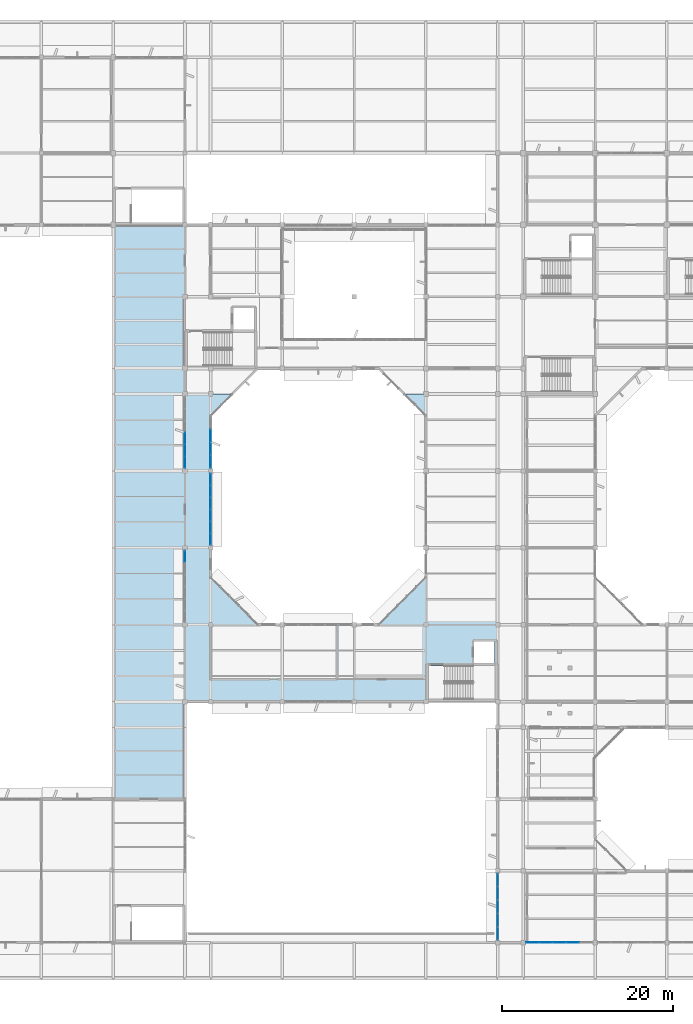
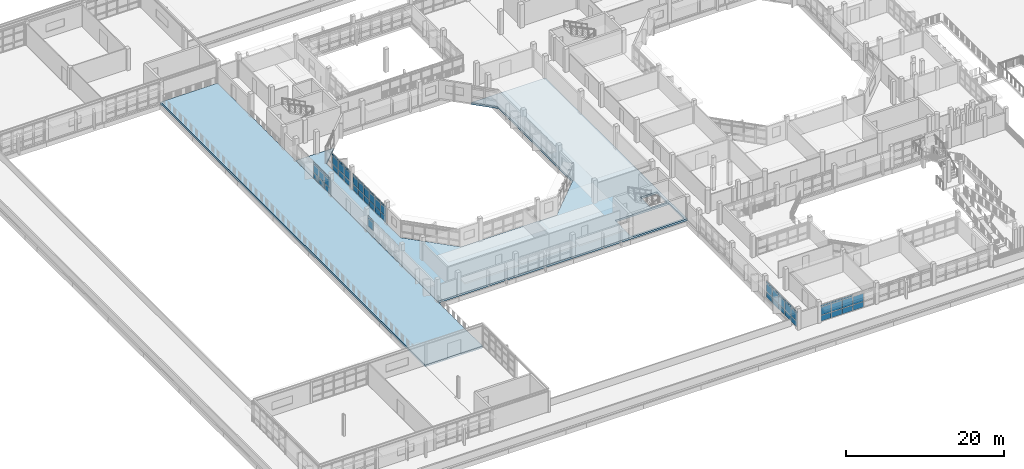
# One storey, part 47 of 92: 64 plates, 2 slabs, 6 elements without a shape of their own.
"""IFC4 building model written with IfcOpenShell, lengths in metres."""

from ifc_helpers import new_model, si_unit, direction, frame, origin, origin_2d, place, context, subcontext, project, spatial, polyline, rectangle, outline, extrude, material, layer, layer_set, type_object, element, aggregate, save


model = new_model("IFC4")

# Units and contexts
model_context = context("Model", 3, precision=1e-05, world=origin(), true_north=direction((0.0, 1.0)))
body_context = subcontext(model_context, "Body", "Model", "MODEL_VIEW")
ifc_project = project(units=[si_unit("LENGTHUNIT", "METRE"), si_unit("AREAUNIT", "SQUARE_METRE"), si_unit("VOLUMEUNIT", "CUBIC_METRE"), si_unit("PLANEANGLEUNIT", "RADIAN"), si_unit("MASSUNIT", "GRAM", prefix="KILO")], contexts=[model_context])

# Site, building, storey
site_placement = place(None, origin())
site = spatial("IfcSite", under=ifc_project, at=site_placement, CompositionType="ELEMENT")
building_placement = place(site_placement, origin())
building = spatial("IfcBuilding", under=site, at=building_placement, Name="Vanh Quang Courtyard School", CompositionType="ELEMENT")
storey_placement = place(building_placement, frame((0.0, 0.0, 7.800048828125)))
storey = spatial("IfcBuildingStorey", under=building, at=storey_placement, Name="L02", CompositionType="ELEMENT", Elevation=7.800048828125)

# Curtain wall, plates
ifc_material_1 = material(Name="Thermally broken aluminium unitised curtain wall", Category="aluminium")
curtain_wall_type_1 = type_object("IfcCurtainWallType", Name="CW-SYS-19", PredefinedType="NOTDEFINED", material=ifc_material_1)
curtain_wall_1_placement = place(storey_placement, origin())
curtain_wall_1 = element("IfcCurtainWall", 1, at=curtain_wall_1_placement, inside=storey, type_object=curtain_wall_type_1, Name="Curtain Wall CW-19 (L02)", PredefinedType="NOTDEFINED")
ifc_material_2 = material(Name="Low-E laminated double glazing", Category="glass")
ifc_layer_1 = layer(ifc_material_2, 0.028076171875)
ifc_layer_set_1 = layer_set([ifc_layer_1], Name="Low-E laminated double glazing")
plate_type_1 = type_object("IfcPlateType", Name="CW-PNL-28", PredefinedType="CURTAIN_PANEL", material=ifc_layer_set_1)
plate_1_placement = place(storey_placement, frame((83.1767578125, 4.199951171875, 0.06005859375), z_axis=(0.0, 0.0, 1.0), x_axis=(-1.0, 0.0, 0.0)))
plate_1 = element("IfcPlate", 2, at=plate_1_placement, type_object=plate_type_1, Name="CW-19 panel 2.1", PredefinedType="CURTAIN_PANEL", context=body_context, shape_type="SweptSolid", body=[
    extrude(rectangle(XDim=1.516845703125, YDim=0.028076171875, at=origin_2d()), origin(), (0.0, 0.0, 1.0), 0.860107421875),
])
plate_2_placement = place(storey_placement, frame((83.1767578125, 4.199951171875, 0.97998046875), z_axis=(0.0, 0.0, 1.0), x_axis=(-1.0, 0.0, 0.0)))
plate_2 = element("IfcPlate", 3, at=plate_2_placement, type_object=plate_type_1, Name="CW-19 panel 2.2", PredefinedType="CURTAIN_PANEL", context=body_context, shape_type="SweptSolid", body=[
    extrude(rectangle(XDim=1.516845703125, YDim=0.028076171875, at=origin_2d()), origin(), (0.0, 0.0, 1.0), 1.239990234375),
])
plate_3_placement = place(storey_placement, frame((81.60009765625, 4.199951171875, 0.06005859375), z_axis=(0.0, 0.0, 1.0), x_axis=(-1.0, 0.0, 0.0)))
plate_3 = element("IfcPlate", 4, at=plate_3_placement, type_object=plate_type_1, Name="CW-19 panel 3.1", PredefinedType="CURTAIN_PANEL", context=body_context, shape_type="SweptSolid", body=[
    extrude(rectangle(XDim=1.516845703125, YDim=0.028076171875, at=origin_2d()), origin(), (0.0, 0.0, 1.0), 0.860107421875),
])
plate_4_placement = place(storey_placement, frame((81.60009765625, 4.199951171875, 0.97998046875), z_axis=(0.0, 0.0, 1.0), x_axis=(-1.0, 0.0, 0.0)))
plate_4 = element("IfcPlate", 5, at=plate_4_placement, type_object=plate_type_1, Name="CW-19 panel 3.2", PredefinedType="CURTAIN_PANEL", context=body_context, shape_type="SweptSolid", body=[
    extrude(rectangle(XDim=1.516845703125, YDim=0.028076171875, at=origin_2d()), origin(), (0.0, 0.0, 1.0), 1.239990234375),
])
plate_5_placement = place(storey_placement, frame((81.60009765625, 4.199951171875, 2.27978515625), z_axis=(0.0, 0.0, 1.0), x_axis=(-1.0, 0.0, 0.0)))
plate_5 = element("IfcPlate", 6, at=plate_5_placement, type_object=plate_type_1, Name="CW-19 panel 3.3", PredefinedType="CURTAIN_PANEL", context=body_context, shape_type="SweptSolid", body=[
    extrude(rectangle(XDim=1.516845703125, YDim=0.028076171875, at=origin_2d()), origin(), (0.0, 0.0, 1.0), 0.239990234375),
])
plate_6_placement = place(storey_placement, frame((80.023193359375, 4.199951171875, 0.06005859375), z_axis=(0.0, 0.0, 1.0), x_axis=(-1.0, 0.0, 0.0)))
plate_6 = element("IfcPlate", 7, at=plate_6_placement, type_object=plate_type_1, Name="CW-19 panel 4.1", PredefinedType="CURTAIN_PANEL", context=body_context, shape_type="SweptSolid", body=[
    extrude(rectangle(XDim=1.516845703125, YDim=0.028076171875, at=origin_2d()), origin(), (0.0, 0.0, 1.0), 0.860107421875),
])
plate_7_placement = place(storey_placement, frame((80.023193359375, 4.199951171875, 0.97998046875), z_axis=(0.0, 0.0, 1.0), x_axis=(-1.0, 0.0, 0.0)))
plate_7 = element("IfcPlate", 8, at=plate_7_placement, type_object=plate_type_1, Name="CW-19 panel 4.2", PredefinedType="CURTAIN_PANEL", context=body_context, shape_type="SweptSolid", body=[
    extrude(rectangle(XDim=1.516845703125, YDim=0.028076171875, at=origin_2d()), origin(), (0.0, 0.0, 1.0), 1.239990234375),
])
plate_8_placement = place(storey_placement, frame((80.023193359375, 4.199951171875, 2.27978515625), z_axis=(0.0, 0.0, 1.0), x_axis=(-1.0, 0.0, 0.0)))
plate_8 = element("IfcPlate", 9, at=plate_8_placement, type_object=plate_type_1, Name="CW-19 panel 4.3", PredefinedType="CURTAIN_PANEL", context=body_context, shape_type="SweptSolid", body=[
    extrude(rectangle(XDim=1.516845703125, YDim=0.028076171875, at=origin_2d()), origin(), (0.0, 0.0, 1.0), 0.239990234375),
])
plate_9_placement = place(storey_placement, frame((78.46142578125, 4.199951171875, 0.06005859375), z_axis=(0.0, 0.0, 1.0), x_axis=(-1.0, 0.0, 0.0)))
plate_9 = element("IfcPlate", 10, at=plate_9_placement, type_object=plate_type_1, Name="CW-19 panel 5.1", PredefinedType="CURTAIN_PANEL", context=body_context, shape_type="SweptSolid", body=[
    extrude(rectangle(XDim=1.48681640625, YDim=0.028076171875, at=origin_2d()), origin(), (0.0, 0.0, 1.0), 0.860107421875),
])
plate_10_placement = place(storey_placement, frame((78.46142578125, 4.199951171875, 0.97998046875), z_axis=(0.0, 0.0, 1.0), x_axis=(-1.0, 0.0, 0.0)))
plate_10 = element("IfcPlate", 11, at=plate_10_placement, type_object=plate_type_1, Name="CW-19 panel 5.2", PredefinedType="CURTAIN_PANEL", context=body_context, shape_type="SweptSolid", body=[
    extrude(rectangle(XDim=1.48681640625, YDim=0.028076171875, at=origin_2d()), origin(), (0.0, 0.0, 1.0), 1.239990234375),
])
plate_11_placement = place(storey_placement, frame((78.46142578125, 4.199951171875, 2.27978515625), z_axis=(0.0, 0.0, 1.0), x_axis=(-1.0, 0.0, 0.0)))
plate_11 = element("IfcPlate", 12, at=plate_11_placement, type_object=plate_type_1, Name="CW-19 panel 5.3", PredefinedType="CURTAIN_PANEL", context=body_context, shape_type="SweptSolid", body=[
    extrude(rectangle(XDim=1.48681640625, YDim=0.028076171875, at=origin_2d()), origin(), (0.0, 0.0, 1.0), 0.239990234375),
])
aggregate(curtain_wall_1, [plate_1, plate_2, plate_3, plate_4, plate_5, plate_6, plate_7, plate_8, plate_9, plate_10, plate_11])

curtain_wall_type_2 = type_object("IfcCurtainWallType", Name="CW-SYS-48", PredefinedType="NOTDEFINED", material=ifc_material_1)
curtain_wall_2_placement = place(storey_placement, origin())
curtain_wall_2 = element("IfcCurtainWall", 13, at=curtain_wall_2_placement, inside=storey, type_object=curtain_wall_type_2, Name="Curtain Wall CW-48 (L02)", PredefinedType="NOTDEFINED")
plate_12_placement = place(storey_placement, frame((37.800048828125, 49.396728515625, 0.98486328125), z_axis=(0.0, 0.0, 1.0), x_axis=(0.0, 1.0, 0.0)))
plate_12 = element("IfcPlate", 14, at=plate_12_placement, type_object=plate_type_1, Name="CW-48 panel 6.2", PredefinedType="CURTAIN_PANEL", context=body_context, shape_type="SweptSolid", body=[
    extrude(rectangle(XDim=1.30078125, YDim=0.028076171875, at=origin_2d()), origin(), (0.0, 0.0, 1.0), 1.22998046875),
])
plate_13_placement = place(storey_placement, frame((37.800048828125, 49.396728515625, 2.284912109375), z_axis=(0.0, 0.0, 1.0), x_axis=(0.0, 1.0, 0.0)))
plate_13 = element("IfcPlate", 15, at=plate_13_placement, type_object=plate_type_1, Name="CW-48 panel 6.3", PredefinedType="CURTAIN_PANEL", context=body_context, shape_type="SweptSolid", body=[
    extrude(rectangle(XDim=1.30078125, YDim=0.028076171875, at=origin_2d()), origin(), (0.0, 0.0, 1.0), 0.2451171875),
])
aggregate(curtain_wall_2, [plate_12, plate_13])

curtain_wall_type_3 = type_object("IfcCurtainWallType", Name="CW-SYS-44", PredefinedType="NOTDEFINED", material=ifc_material_1)
curtain_wall_3_placement = place(storey_placement, origin())
curtain_wall_3 = element("IfcCurtainWall", 16, at=curtain_wall_3_placement, inside=storey, type_object=curtain_wall_type_3, Name="Curtain Wall CW-44 (L02)", PredefinedType="NOTDEFINED")
plate_14_placement = place(storey_placement, frame((40.800048828125, 63.541015625, 0.079833984375), z_axis=(0.0, 0.0, 1.0), x_axis=(0.0, -1.0, 0.0)))
plate_14 = element("IfcPlate", 17, at=plate_14_placement, type_object=plate_type_1, Name="CW-44 panel 2.1", PredefinedType="CURTAIN_PANEL", context=body_context, shape_type="SweptSolid", body=[
    extrude(rectangle(XDim=1.463134765625, YDim=0.028076171875, at=origin_2d()), origin(), (0.0, 0.0, 1.0), 0.830078125),
])
plate_15_placement = place(storey_placement, frame((40.800048828125, 63.541015625, 0.98974609375), z_axis=(0.0, 0.0, 1.0), x_axis=(0.0, -1.0, 0.0)))
plate_15 = element("IfcPlate", 18, at=plate_15_placement, type_object=plate_type_1, Name="CW-44 panel 2.2", PredefinedType="CURTAIN_PANEL", context=body_context, shape_type="SweptSolid", body=[
    extrude(rectangle(XDim=1.463134765625, YDim=0.028076171875, at=origin_2d()), origin(), (0.0, 0.0, 1.0), 1.219970703125),
])
plate_16_placement = place(storey_placement, frame((40.800048828125, 63.541015625, 2.2900390625), z_axis=(0.0, 0.0, 1.0), x_axis=(0.0, -1.0, 0.0)))
plate_16 = element("IfcPlate", 19, at=plate_16_placement, type_object=plate_type_1, Name="CW-44 panel 2.3", PredefinedType="CURTAIN_PANEL", context=body_context, shape_type="SweptSolid", body=[
    extrude(rectangle(XDim=1.463134765625, YDim=0.028076171875, at=origin_2d()), origin(), (0.0, 0.0, 1.0), 0.22998046875),
])
plate_17_placement = place(storey_placement, frame((40.800048828125, 61.997802734375, 0.079833984375), z_axis=(0.0, 0.0, 1.0), x_axis=(0.0, -1.0, 0.0)))
plate_17 = element("IfcPlate", 20, at=plate_17_placement, type_object=plate_type_1, Name="CW-44 panel 3.1", PredefinedType="CURTAIN_PANEL", context=body_context, shape_type="SweptSolid", body=[
    extrude(rectangle(XDim=1.463134765625, YDim=0.028076171875, at=origin_2d()), origin(), (0.0, 0.0, 1.0), 0.830078125),
])
plate_18_placement = place(storey_placement, frame((40.800048828125, 61.997802734375, 0.98974609375), z_axis=(0.0, 0.0, 1.0), x_axis=(0.0, -1.0, 0.0)))
plate_18 = element("IfcPlate", 21, at=plate_18_placement, type_object=plate_type_1, Name="CW-44 panel 3.2", PredefinedType="CURTAIN_PANEL", context=body_context, shape_type="SweptSolid", body=[
    extrude(rectangle(XDim=1.463134765625, YDim=0.028076171875, at=origin_2d()), origin(), (0.0, 0.0, 1.0), 1.219970703125),
])
plate_19_placement = place(storey_placement, frame((40.800048828125, 61.997802734375, 2.2900390625), z_axis=(0.0, 0.0, 1.0), x_axis=(0.0, -1.0, 0.0)))
plate_19 = element("IfcPlate", 22, at=plate_19_placement, type_object=plate_type_1, Name="CW-44 panel 3.3", PredefinedType="CURTAIN_PANEL", context=body_context, shape_type="SweptSolid", body=[
    extrude(rectangle(XDim=1.463134765625, YDim=0.028076171875, at=origin_2d()), origin(), (0.0, 0.0, 1.0), 0.22998046875),
])
plate_20_placement = place(storey_placement, frame((40.800048828125, 60.474609375, 0.079833984375), z_axis=(0.0, 0.0, 1.0), x_axis=(0.0, -1.0, 0.0)))
plate_20 = element("IfcPlate", 23, at=plate_20_placement, type_object=plate_type_1, Name="CW-44 panel 4.1", PredefinedType="CURTAIN_PANEL", context=body_context, shape_type="SweptSolid", body=[
    extrude(rectangle(XDim=1.42333984375, YDim=0.028076171875, at=origin_2d()), origin(), (0.0, 0.0, 1.0), 0.830078125),
])
plate_21_placement = place(storey_placement, frame((40.800048828125, 60.474609375, 0.98974609375), z_axis=(0.0, 0.0, 1.0), x_axis=(0.0, -1.0, 0.0)))
plate_21 = element("IfcPlate", 24, at=plate_21_placement, type_object=plate_type_1, Name="CW-44 panel 4.2", PredefinedType="CURTAIN_PANEL", context=body_context, shape_type="SweptSolid", body=[
    extrude(rectangle(XDim=1.42333984375, YDim=0.028076171875, at=origin_2d()), origin(), (0.0, 0.0, 1.0), 1.219970703125),
])
plate_22_placement = place(storey_placement, frame((40.800048828125, 60.474609375, 2.2900390625), z_axis=(0.0, 0.0, 1.0), x_axis=(0.0, -1.0, 0.0)))
plate_22 = element("IfcPlate", 25, at=plate_22_placement, type_object=plate_type_1, Name="CW-44 panel 4.3", PredefinedType="CURTAIN_PANEL", context=body_context, shape_type="SweptSolid", body=[
    extrude(rectangle(XDim=1.42333984375, YDim=0.028076171875, at=origin_2d()), origin(), (0.0, 0.0, 1.0), 0.22998046875),
])
aggregate(curtain_wall_3, [plate_14, plate_15, plate_16, plate_17, plate_18, plate_19, plate_20, plate_21, plate_22])

curtain_wall_4_placement = place(storey_placement, origin())
curtain_wall_4 = element("IfcCurtainWall", 26, at=curtain_wall_4_placement, inside=storey, type_object=curtain_wall_type_1, Name="Curtain Wall CW-19 (L02)", PredefinedType="NOTDEFINED")
ifc_layer_2 = layer(ifc_material_2, 0.031982421875)
ifc_layer_set_2 = layer_set([ifc_layer_2], Name="Low-E laminated double glazing")
plate_type_2 = type_object("IfcPlateType", Name="CW-PNL-32", PredefinedType="CURTAIN_PANEL", material=ifc_layer_set_2)
plate_23_placement = place(storey_placement, frame((74.39990234375, 5.263916015625, 0.06982421875), z_axis=(0.0, 0.0, 1.0), x_axis=(0.0, 1.0, 0.0)))
plate_23 = element("IfcPlate", 27, at=plate_23_placement, type_object=plate_type_2, Name="CW-19 panel 1.1", PredefinedType="CURTAIN_PANEL", context=body_context, shape_type="SweptSolid", body=[
    extrude(rectangle(XDim=1.4716796875, YDim=0.031982421875, at=origin_2d()), origin(), (0.0, 0.0, 1.0), 0.844970703125),
])
plate_24_placement = place(storey_placement, frame((74.39990234375, 5.263916015625, 0.98486328125), z_axis=(0.0, 0.0, 1.0), x_axis=(0.0, 1.0, 0.0)))
plate_24 = element("IfcPlate", 28, at=plate_24_placement, type_object=plate_type_2, Name="CW-19 panel 1.2", PredefinedType="CURTAIN_PANEL", context=body_context, shape_type="SweptSolid", body=[
    extrude(rectangle(XDim=1.4716796875, YDim=0.031982421875, at=origin_2d()), origin(), (0.0, 0.0, 1.0), 1.22998046875),
])
plate_25_placement = place(storey_placement, frame((74.39990234375, 5.263916015625, 2.284912109375), z_axis=(0.0, 0.0, 1.0), x_axis=(0.0, 1.0, 0.0)))
plate_25 = element("IfcPlate", 29, at=plate_25_placement, type_object=plate_type_2, Name="CW-19 panel 1.3", PredefinedType="CURTAIN_PANEL", context=body_context, shape_type="SweptSolid", body=[
    extrude(rectangle(XDim=1.4716796875, YDim=0.031982421875, at=origin_2d()), origin(), (0.0, 0.0, 1.0), 0.22509765625),
])
plate_26_placement = place(storey_placement, frame((74.39990234375, 6.8232421875, 0.06982421875), z_axis=(0.0, 0.0, 1.0), x_axis=(0.0, 1.0, 0.0)))
plate_26 = element("IfcPlate", 30, at=plate_26_placement, type_object=plate_type_2, Name="CW-19 panel 2.1", PredefinedType="CURTAIN_PANEL", context=body_context, shape_type="SweptSolid", body=[
    extrude(rectangle(XDim=1.5068359375, YDim=0.031982421875, at=origin_2d()), origin(), (0.0, 0.0, 1.0), 0.844970703125),
])
plate_27_placement = place(storey_placement, frame((74.39990234375, 6.8232421875, 0.98486328125), z_axis=(0.0, 0.0, 1.0), x_axis=(0.0, 1.0, 0.0)))
plate_27 = element("IfcPlate", 31, at=plate_27_placement, type_object=plate_type_2, Name="CW-19 panel 2.2", PredefinedType="CURTAIN_PANEL", context=body_context, shape_type="SweptSolid", body=[
    extrude(rectangle(XDim=1.5068359375, YDim=0.031982421875, at=origin_2d()), origin(), (0.0, 0.0, 1.0), 1.22998046875),
])
plate_28_placement = place(storey_placement, frame((74.39990234375, 6.8232421875, 2.284912109375), z_axis=(0.0, 0.0, 1.0), x_axis=(0.0, 1.0, 0.0)))
plate_28 = element("IfcPlate", 32, at=plate_28_placement, type_object=plate_type_2, Name="CW-19 panel 2.3", PredefinedType="CURTAIN_PANEL", context=body_context, shape_type="SweptSolid", body=[
    extrude(rectangle(XDim=1.5068359375, YDim=0.031982421875, at=origin_2d()), origin(), (0.0, 0.0, 1.0), 0.22509765625),
])
plate_29_placement = place(storey_placement, frame((74.39990234375, 8.39990234375, 0.06982421875), z_axis=(0.0, 0.0, 1.0), x_axis=(0.0, 1.0, 0.0)))
plate_29 = element("IfcPlate", 33, at=plate_29_placement, type_object=plate_type_2, Name="CW-19 panel 3.1", PredefinedType="CURTAIN_PANEL", context=body_context, shape_type="SweptSolid", body=[
    extrude(rectangle(XDim=1.5068359375, YDim=0.031982421875, at=origin_2d()), origin(), (0.0, 0.0, 1.0), 0.844970703125),
])
plate_30_placement = place(storey_placement, frame((74.39990234375, 8.39990234375, 0.98486328125), z_axis=(0.0, 0.0, 1.0), x_axis=(0.0, 1.0, 0.0)))
plate_30 = element("IfcPlate", 34, at=plate_30_placement, type_object=plate_type_2, Name="CW-19 panel 3.2", PredefinedType="CURTAIN_PANEL", context=body_context, shape_type="SweptSolid", body=[
    extrude(rectangle(XDim=1.5068359375, YDim=0.031982421875, at=origin_2d()), origin(), (0.0, 0.0, 1.0), 1.22998046875),
])
plate_31_placement = place(storey_placement, frame((74.39990234375, 8.39990234375, 2.284912109375), z_axis=(0.0, 0.0, 1.0), x_axis=(0.0, 1.0, 0.0)))
plate_31 = element("IfcPlate", 35, at=plate_31_placement, type_object=plate_type_2, Name="CW-19 panel 3.3", PredefinedType="CURTAIN_PANEL", context=body_context, shape_type="SweptSolid", body=[
    extrude(rectangle(XDim=1.5068359375, YDim=0.031982421875, at=origin_2d()), origin(), (0.0, 0.0, 1.0), 0.22509765625),
])
plate_32_placement = place(storey_placement, frame((74.39990234375, 9.976806640625, 0.06982421875), z_axis=(0.0, 0.0, 1.0), x_axis=(0.0, 1.0, 0.0)))
plate_32 = element("IfcPlate", 36, at=plate_32_placement, type_object=plate_type_2, Name="CW-19 panel 4.1", PredefinedType="CURTAIN_PANEL", context=body_context, shape_type="SweptSolid", body=[
    extrude(rectangle(XDim=1.5068359375, YDim=0.031982421875, at=origin_2d()), origin(), (0.0, 0.0, 1.0), 0.844970703125),
])
plate_33_placement = place(storey_placement, frame((74.39990234375, 9.976806640625, 0.98486328125), z_axis=(0.0, 0.0, 1.0), x_axis=(0.0, 1.0, 0.0)))
plate_33 = element("IfcPlate", 37, at=plate_33_placement, type_object=plate_type_2, Name="CW-19 panel 4.2", PredefinedType="CURTAIN_PANEL", context=body_context, shape_type="SweptSolid", body=[
    extrude(rectangle(XDim=1.5068359375, YDim=0.031982421875, at=origin_2d()), origin(), (0.0, 0.0, 1.0), 1.22998046875),
])
plate_34_placement = place(storey_placement, frame((74.39990234375, 9.976806640625, 2.284912109375), z_axis=(0.0, 0.0, 1.0), x_axis=(0.0, 1.0, 0.0)))
plate_34 = element("IfcPlate", 38, at=plate_34_placement, type_object=plate_type_2, Name="CW-19 panel 4.3", PredefinedType="CURTAIN_PANEL", context=body_context, shape_type="SweptSolid", body=[
    extrude(rectangle(XDim=1.5068359375, YDim=0.031982421875, at=origin_2d()), origin(), (0.0, 0.0, 1.0), 0.22509765625),
])
plate_35_placement = place(storey_placement, frame((74.39990234375, 11.5361328125, 0.06982421875), z_axis=(0.0, 0.0, 1.0), x_axis=(0.0, 1.0, 0.0)))
plate_35 = element("IfcPlate", 39, at=plate_35_placement, type_object=plate_type_2, Name="CW-19 panel 5.1", PredefinedType="CURTAIN_PANEL", context=body_context, shape_type="SweptSolid", body=[
    extrude(rectangle(XDim=1.4716796875, YDim=0.031982421875, at=origin_2d()), origin(), (0.0, 0.0, 1.0), 0.844970703125),
])
plate_36_placement = place(storey_placement, frame((74.39990234375, 11.5361328125, 0.98486328125), z_axis=(0.0, 0.0, 1.0), x_axis=(0.0, 1.0, 0.0)))
plate_36 = element("IfcPlate", 40, at=plate_36_placement, type_object=plate_type_2, Name="CW-19 panel 5.2", PredefinedType="CURTAIN_PANEL", context=body_context, shape_type="SweptSolid", body=[
    extrude(rectangle(XDim=1.4716796875, YDim=0.031982421875, at=origin_2d()), origin(), (0.0, 0.0, 1.0), 1.22998046875),
])
plate_37_placement = place(storey_placement, frame((74.39990234375, 11.5361328125, 2.284912109375), z_axis=(0.0, 0.0, 1.0), x_axis=(0.0, 1.0, 0.0)))
plate_37 = element("IfcPlate", 41, at=plate_37_placement, type_object=plate_type_2, Name="CW-19 panel 5.3", PredefinedType="CURTAIN_PANEL", context=body_context, shape_type="SweptSolid", body=[
    extrude(rectangle(XDim=1.4716796875, YDim=0.031982421875, at=origin_2d()), origin(), (0.0, 0.0, 1.0), 0.22509765625),
])
aggregate(curtain_wall_4, [plate_23, plate_24, plate_25, plate_26, plate_27, plate_28, plate_29, plate_30, plate_31, plate_32, plate_33, plate_34, plate_35, plate_36, plate_37])

curtain_wall_5_placement = place(storey_placement, origin())
curtain_wall_5 = element("IfcCurtainWall", 42, at=curtain_wall_5_placement, inside=storey, type_object=curtain_wall_type_2, Name="Curtain Wall CW-48 (L02)", PredefinedType="NOTDEFINED")
plate_38_placement = place(storey_placement, frame((37.800048828125, 60.40576171875, 0.079833984375), z_axis=(0.0, 0.0, 1.0), x_axis=(0.0, 1.0, 0.0)))
plate_38 = element("IfcPlate", 43, at=plate_38_placement, type_object=plate_type_2, Name="CW-48 panel 1.1", PredefinedType="CURTAIN_PANEL", context=body_context, shape_type="SweptSolid", body=[
    extrude(rectangle(XDim=1.28564453125, YDim=0.031982421875, at=origin_2d()), origin(), (0.0, 0.0, 1.0), 0.830078125),
])
plate_39_placement = place(storey_placement, frame((37.800048828125, 60.40576171875, 0.98974609375), z_axis=(0.0, 0.0, 1.0), x_axis=(0.0, 1.0, 0.0)))
plate_39 = element("IfcPlate", 44, at=plate_39_placement, type_object=plate_type_2, Name="CW-48 panel 1.2", PredefinedType="CURTAIN_PANEL", context=body_context, shape_type="SweptSolid", body=[
    extrude(rectangle(XDim=1.28564453125, YDim=0.031982421875, at=origin_2d()), origin(), (0.0, 0.0, 1.0), 1.219970703125),
])
plate_40_placement = place(storey_placement, frame((37.800048828125, 60.40576171875, 2.2900390625), z_axis=(0.0, 0.0, 1.0), x_axis=(0.0, 1.0, 0.0)))
plate_40 = element("IfcPlate", 45, at=plate_40_placement, type_object=plate_type_2, Name="CW-48 panel 1.3", PredefinedType="CURTAIN_PANEL", context=body_context, shape_type="SweptSolid", body=[
    extrude(rectangle(XDim=1.28564453125, YDim=0.031982421875, at=origin_2d()), origin(), (0.0, 0.0, 1.0), 0.22998046875),
])
plate_41_placement = place(storey_placement, frame((37.800048828125, 61.79150390625, 0.079833984375), z_axis=(0.0, 0.0, 1.0), x_axis=(0.0, 1.0, 0.0)))
plate_41 = element("IfcPlate", 46, at=plate_41_placement, type_object=plate_type_2, Name="CW-48 panel 2.1", PredefinedType="CURTAIN_PANEL", context=body_context, shape_type="SweptSolid", body=[
    extrude(rectangle(XDim=1.32568359375, YDim=0.031982421875, at=origin_2d()), origin(), (0.0, 0.0, 1.0), 0.830078125),
])
plate_42_placement = place(storey_placement, frame((37.800048828125, 61.79150390625, 0.98974609375), z_axis=(0.0, 0.0, 1.0), x_axis=(0.0, 1.0, 0.0)))
plate_42 = element("IfcPlate", 47, at=plate_42_placement, type_object=plate_type_2, Name="CW-48 panel 2.2", PredefinedType="CURTAIN_PANEL", context=body_context, shape_type="SweptSolid", body=[
    extrude(rectangle(XDim=1.32568359375, YDim=0.031982421875, at=origin_2d()), origin(), (0.0, 0.0, 1.0), 1.219970703125),
])
plate_43_placement = place(storey_placement, frame((37.800048828125, 61.79150390625, 2.2900390625), z_axis=(0.0, 0.0, 1.0), x_axis=(0.0, 1.0, 0.0)))
plate_43 = element("IfcPlate", 48, at=plate_43_placement, type_object=plate_type_2, Name="CW-48 panel 2.3", PredefinedType="CURTAIN_PANEL", context=body_context, shape_type="SweptSolid", body=[
    extrude(rectangle(XDim=1.32568359375, YDim=0.031982421875, at=origin_2d()), origin(), (0.0, 0.0, 1.0), 0.22998046875),
])
plate_44_placement = place(storey_placement, frame((37.800048828125, 63.197265625, 0.079833984375), z_axis=(0.0, 0.0, 1.0), x_axis=(0.0, 1.0, 0.0)))
plate_44 = element("IfcPlate", 49, at=plate_44_placement, type_object=plate_type_2, Name="CW-48 panel 3.1", PredefinedType="CURTAIN_PANEL", context=body_context, shape_type="SweptSolid", body=[
    extrude(rectangle(XDim=1.32568359375, YDim=0.031982421875, at=origin_2d()), origin(), (0.0, 0.0, 1.0), 0.830078125),
])
plate_45_placement = place(storey_placement, frame((37.800048828125, 63.197265625, 0.98974609375), z_axis=(0.0, 0.0, 1.0), x_axis=(0.0, 1.0, 0.0)))
plate_45 = element("IfcPlate", 50, at=plate_45_placement, type_object=plate_type_2, Name="CW-48 panel 3.2", PredefinedType="CURTAIN_PANEL", context=body_context, shape_type="SweptSolid", body=[
    extrude(rectangle(XDim=1.32568359375, YDim=0.031982421875, at=origin_2d()), origin(), (0.0, 0.0, 1.0), 1.219970703125),
])
plate_46_placement = place(storey_placement, frame((37.800048828125, 63.197265625, 2.2900390625), z_axis=(0.0, 0.0, 1.0), x_axis=(0.0, 1.0, 0.0)))
plate_46 = element("IfcPlate", 51, at=plate_46_placement, type_object=plate_type_2, Name="CW-48 panel 3.3", PredefinedType="CURTAIN_PANEL", context=body_context, shape_type="SweptSolid", body=[
    extrude(rectangle(XDim=1.32568359375, YDim=0.031982421875, at=origin_2d()), origin(), (0.0, 0.0, 1.0), 0.22998046875),
])
aggregate(curtain_wall_5, [plate_38, plate_39, plate_40, plate_41, plate_42, plate_43, plate_44, plate_45, plate_46])

curtain_wall_6_placement = place(storey_placement, origin())
curtain_wall_6 = element("IfcCurtainWall", 52, at=curtain_wall_6_placement, inside=storey, type_object=curtain_wall_type_2, Name="Curtain Wall CW-48 (L02)", PredefinedType="NOTDEFINED")
plate_47_placement = place(storey_placement, frame((40.800048828125, 58.399169921875, 0.06005859375), z_axis=(0.0, 0.0, 1.0), x_axis=(0.0, -1.0, 0.0)))
plate_47 = element("IfcPlate", 53, at=plate_47_placement, type_object=plate_type_2, Name="CW-48 panel 1.1", PredefinedType="CURTAIN_PANEL", context=body_context, shape_type="SweptSolid", body=[
    extrude(rectangle(XDim=1.315673828125, YDim=0.031982421875, at=origin_2d()), origin(), (0.0, 0.0, 1.0), 0.860107421875),
])
plate_48_placement = place(storey_placement, frame((40.800048828125, 58.399169921875, 0.97998046875), z_axis=(0.0, 0.0, 1.0), x_axis=(0.0, -1.0, 0.0)))
plate_48 = element("IfcPlate", 54, at=plate_48_placement, type_object=plate_type_2, Name="CW-48 panel 1.2", PredefinedType="CURTAIN_PANEL", context=body_context, shape_type="SweptSolid", body=[
    extrude(rectangle(XDim=1.315673828125, YDim=0.031982421875, at=origin_2d()), origin(), (0.0, 0.0, 1.0), 1.239990234375),
])
plate_49_placement = place(storey_placement, frame((40.800048828125, 58.399169921875, 2.27978515625), z_axis=(0.0, 0.0, 1.0), x_axis=(0.0, -1.0, 0.0)))
plate_49 = element("IfcPlate", 55, at=plate_49_placement, type_object=plate_type_2, Name="CW-48 panel 1.3", PredefinedType="CURTAIN_PANEL", context=body_context, shape_type="SweptSolid", body=[
    extrude(rectangle(XDim=1.315673828125, YDim=0.031982421875, at=origin_2d()), origin(), (0.0, 0.0, 1.0), 0.260009765625),
])
plate_50_placement = place(storey_placement, frame((40.800048828125, 57.008544921875, 0.06005859375), z_axis=(0.0, 0.0, 1.0), x_axis=(0.0, -1.0, 0.0)))
plate_50 = element("IfcPlate", 56, at=plate_50_placement, type_object=plate_type_2, Name="CW-48 panel 2.1", PredefinedType="CURTAIN_PANEL", context=body_context, shape_type="SweptSolid", body=[
    extrude(rectangle(XDim=1.345703125, YDim=0.031982421875, at=origin_2d()), origin(), (0.0, 0.0, 1.0), 0.860107421875),
])
plate_51_placement = place(storey_placement, frame((40.800048828125, 57.008544921875, 0.97998046875), z_axis=(0.0, 0.0, 1.0), x_axis=(0.0, -1.0, 0.0)))
plate_51 = element("IfcPlate", 57, at=plate_51_placement, type_object=plate_type_2, Name="CW-48 panel 2.2", PredefinedType="CURTAIN_PANEL", context=body_context, shape_type="SweptSolid", body=[
    extrude(rectangle(XDim=1.345703125, YDim=0.031982421875, at=origin_2d()), origin(), (0.0, 0.0, 1.0), 1.239990234375),
])
plate_52_placement = place(storey_placement, frame((40.800048828125, 57.008544921875, 2.27978515625), z_axis=(0.0, 0.0, 1.0), x_axis=(0.0, -1.0, 0.0)))
plate_52 = element("IfcPlate", 58, at=plate_52_placement, type_object=plate_type_2, Name="CW-48 panel 2.3", PredefinedType="CURTAIN_PANEL", context=body_context, shape_type="SweptSolid", body=[
    extrude(rectangle(XDim=1.345703125, YDim=0.031982421875, at=origin_2d()), origin(), (0.0, 0.0, 1.0), 0.260009765625),
])
plate_53_placement = place(storey_placement, frame((40.800048828125, 55.602783203125, 0.06005859375), z_axis=(0.0, 0.0, 1.0), x_axis=(0.0, -1.0, 0.0)))
plate_53 = element("IfcPlate", 59, at=plate_53_placement, type_object=plate_type_2, Name="CW-48 panel 3.1", PredefinedType="CURTAIN_PANEL", context=body_context, shape_type="SweptSolid", body=[
    extrude(rectangle(XDim=1.345703125, YDim=0.031982421875, at=origin_2d()), origin(), (0.0, 0.0, 1.0), 0.860107421875),
])
plate_54_placement = place(storey_placement, frame((40.800048828125, 55.602783203125, 0.97998046875), z_axis=(0.0, 0.0, 1.0), x_axis=(0.0, -1.0, 0.0)))
plate_54 = element("IfcPlate", 60, at=plate_54_placement, type_object=plate_type_2, Name="CW-48 panel 3.2", PredefinedType="CURTAIN_PANEL", context=body_context, shape_type="SweptSolid", body=[
    extrude(rectangle(XDim=1.345703125, YDim=0.031982421875, at=origin_2d()), origin(), (0.0, 0.0, 1.0), 1.239990234375),
])
plate_55_placement = place(storey_placement, frame((40.800048828125, 55.602783203125, 2.27978515625), z_axis=(0.0, 0.0, 1.0), x_axis=(0.0, -1.0, 0.0)))
plate_55 = element("IfcPlate", 61, at=plate_55_placement, type_object=plate_type_2, Name="CW-48 panel 3.3", PredefinedType="CURTAIN_PANEL", context=body_context, shape_type="SweptSolid", body=[
    extrude(rectangle(XDim=1.345703125, YDim=0.031982421875, at=origin_2d()), origin(), (0.0, 0.0, 1.0), 0.260009765625),
])
plate_56_placement = place(storey_placement, frame((40.800048828125, 54.197265625, 0.06005859375), z_axis=(0.0, 0.0, 1.0), x_axis=(0.0, -1.0, 0.0)))
plate_56 = element("IfcPlate", 62, at=plate_56_placement, type_object=plate_type_2, Name="CW-48 panel 4.1", PredefinedType="CURTAIN_PANEL", context=body_context, shape_type="SweptSolid", body=[
    extrude(rectangle(XDim=1.345703125, YDim=0.031982421875, at=origin_2d()), origin(), (0.0, 0.0, 1.0), 0.860107421875),
])
plate_57_placement = place(storey_placement, frame((40.800048828125, 54.197265625, 0.97998046875), z_axis=(0.0, 0.0, 1.0), x_axis=(0.0, -1.0, 0.0)))
plate_57 = element("IfcPlate", 63, at=plate_57_placement, type_object=plate_type_2, Name="CW-48 panel 4.2", PredefinedType="CURTAIN_PANEL", context=body_context, shape_type="SweptSolid", body=[
    extrude(rectangle(XDim=1.345703125, YDim=0.031982421875, at=origin_2d()), origin(), (0.0, 0.0, 1.0), 1.239990234375),
])
plate_58_placement = place(storey_placement, frame((40.800048828125, 54.197265625, 2.27978515625), z_axis=(0.0, 0.0, 1.0), x_axis=(0.0, -1.0, 0.0)))
plate_58 = element("IfcPlate", 64, at=plate_58_placement, type_object=plate_type_2, Name="CW-48 panel 4.3", PredefinedType="CURTAIN_PANEL", context=body_context, shape_type="SweptSolid", body=[
    extrude(rectangle(XDim=1.345703125, YDim=0.031982421875, at=origin_2d()), origin(), (0.0, 0.0, 1.0), 0.260009765625),
])
plate_59_placement = place(storey_placement, frame((40.800048828125, 52.79150390625, 0.06005859375), z_axis=(0.0, 0.0, 1.0), x_axis=(0.0, -1.0, 0.0)))
plate_59 = element("IfcPlate", 65, at=plate_59_placement, type_object=plate_type_2, Name="CW-48 panel 5.1", PredefinedType="CURTAIN_PANEL", context=body_context, shape_type="SweptSolid", body=[
    extrude(rectangle(XDim=1.345703125, YDim=0.031982421875, at=origin_2d()), origin(), (0.0, 0.0, 1.0), 0.860107421875),
])
plate_60_placement = place(storey_placement, frame((40.800048828125, 52.79150390625, 0.97998046875), z_axis=(0.0, 0.0, 1.0), x_axis=(0.0, -1.0, 0.0)))
plate_60 = element("IfcPlate", 66, at=plate_60_placement, type_object=plate_type_2, Name="CW-48 panel 5.2", PredefinedType="CURTAIN_PANEL", context=body_context, shape_type="SweptSolid", body=[
    extrude(rectangle(XDim=1.345703125, YDim=0.031982421875, at=origin_2d()), origin(), (0.0, 0.0, 1.0), 1.239990234375),
])
plate_61_placement = place(storey_placement, frame((40.800048828125, 52.79150390625, 2.27978515625), z_axis=(0.0, 0.0, 1.0), x_axis=(0.0, -1.0, 0.0)))
plate_61 = element("IfcPlate", 67, at=plate_61_placement, type_object=plate_type_2, Name="CW-48 panel 5.3", PredefinedType="CURTAIN_PANEL", context=body_context, shape_type="SweptSolid", body=[
    extrude(rectangle(XDim=1.345703125, YDim=0.031982421875, at=origin_2d()), origin(), (0.0, 0.0, 1.0), 0.260009765625),
])
plate_62_placement = place(storey_placement, frame((40.800048828125, 51.40087890625, 0.06005859375), z_axis=(0.0, 0.0, 1.0), x_axis=(0.0, -1.0, 0.0)))
plate_62 = element("IfcPlate", 68, at=plate_62_placement, type_object=plate_type_2, Name="CW-48 panel 6.1", PredefinedType="CURTAIN_PANEL", context=body_context, shape_type="SweptSolid", body=[
    extrude(rectangle(XDim=1.315673828125, YDim=0.031982421875, at=origin_2d()), origin(), (0.0, 0.0, 1.0), 0.860107421875),
])
plate_63_placement = place(storey_placement, frame((40.800048828125, 51.40087890625, 0.97998046875), z_axis=(0.0, 0.0, 1.0), x_axis=(0.0, -1.0, 0.0)))
plate_63 = element("IfcPlate", 69, at=plate_63_placement, type_object=plate_type_2, Name="CW-48 panel 6.2", PredefinedType="CURTAIN_PANEL", context=body_context, shape_type="SweptSolid", body=[
    extrude(rectangle(XDim=1.315673828125, YDim=0.031982421875, at=origin_2d()), origin(), (0.0, 0.0, 1.0), 1.239990234375),
])
plate_64_placement = place(storey_placement, frame((40.800048828125, 51.40087890625, 2.27978515625), z_axis=(0.0, 0.0, 1.0), x_axis=(0.0, -1.0, 0.0)))
plate_64 = element("IfcPlate", 70, at=plate_64_placement, type_object=plate_type_2, Name="CW-48 panel 6.3", PredefinedType="CURTAIN_PANEL", context=body_context, shape_type="SweptSolid", body=[
    extrude(rectangle(XDim=1.315673828125, YDim=0.031982421875, at=origin_2d()), origin(), (0.0, 0.0, 1.0), 0.260009765625),
])
aggregate(curtain_wall_6, [plate_47, plate_48, plate_49, plate_50, plate_51, plate_52, plate_53, plate_54, plate_55, plate_56, plate_57, plate_58, plate_59, plate_60, plate_61, plate_62, plate_63, plate_64])

# Slabs
ifc_material_3 = material(Name="Concrete C30/37", Category="concrete")
ifc_layer_3 = layer(ifc_material_3, 0.300048828125)
ifc_layer_set_3 = layer_set([ifc_layer_3], Name="Concrete C30/37")
slab_type_1 = type_object("IfcSlabType", Name="SLB-FLR-300", PredefinedType="FLOOR", material=ifc_layer_set_3)
slab_1_placement = place(storey_placement, frame((0.0, 0.0, -0.300048828125)))
element("IfcSlab", 71, at=slab_1_placement, inside=storey, type_object=slab_type_1, Name="Slab SF-01 (L02)", PredefinedType="FLOOR", context=body_context, shape_type="SweptSolid", body=[
    extrude(outline(polyline([(63.4560546875, 68.39990234375), (66.0, 65.85595703125), (66.0, 46.944091796875), (60.4560546875, 41.39990234375), (46.343994140625, 41.39990234375), (40.800048828125, 46.944091796875), (40.800048828125, 65.85595703125), (43.343994140625, 68.39990234375), (37.800048828125, 68.39990234375), (37.800048828125, 32.39990234375), (74.39990234375, 32.39990234375), (74.39990234375, 68.39990234375), (63.4560546875, 68.39990234375)]), holes=[polyline([(74.1201171875, 32.679931640625), (66.280029296875, 32.679931640625), (66.280029296875, 36.639892578125), (74.1201171875, 36.639892578125), (74.1201171875, 32.679931640625)]), polyline([(74.050048828125, 36.919921875), (71.64990234375, 36.919921875), (71.64990234375, 39.469970703125), (74.050048828125, 39.469970703125), (74.050048828125, 36.919921875)])]), origin(), (0.0, 0.0, 1.0), 0.300048828125),
])
ifc_material_4 = material(Name="Concrete C35/45", Category="concrete")
ifc_layer_4 = layer(ifc_material_4, 0.320068359375)
ifc_layer_set_4 = layer_set([ifc_layer_4], Name="Concrete C35/45")
slab_type_2 = type_object("IfcSlabType", Name="SLB-PDK-320", PredefinedType="FLOOR", material=ifc_layer_set_4)
slab_2_placement = place(storey_placement, frame((0.0, 0.0, -0.320068359375)))
element("IfcSlab", 72, at=slab_2_placement, inside=storey, type_object=slab_type_2, Name="Slab SP-01 (L02)", PredefinedType="FLOOR", context=body_context, shape_type="SweptSolid", body=[
    extrude(outline(polyline([(29.39990234375, 21.0), (37.800048828125, 21.0), (37.800048828125, 88.199951171875), (29.39990234375, 88.199951171875), (29.39990234375, 21.0)])), origin(), (0.0, 0.0, 1.0), 0.320068359375),
])

save(model, "model.ifc")
